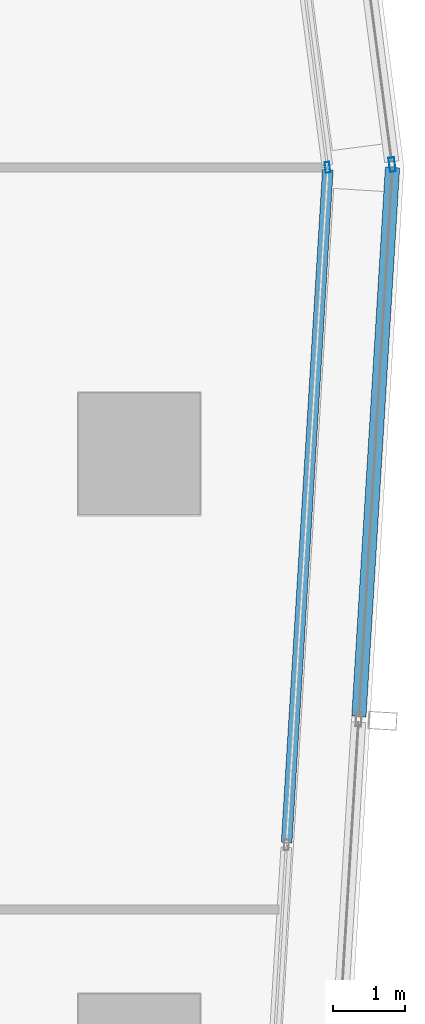
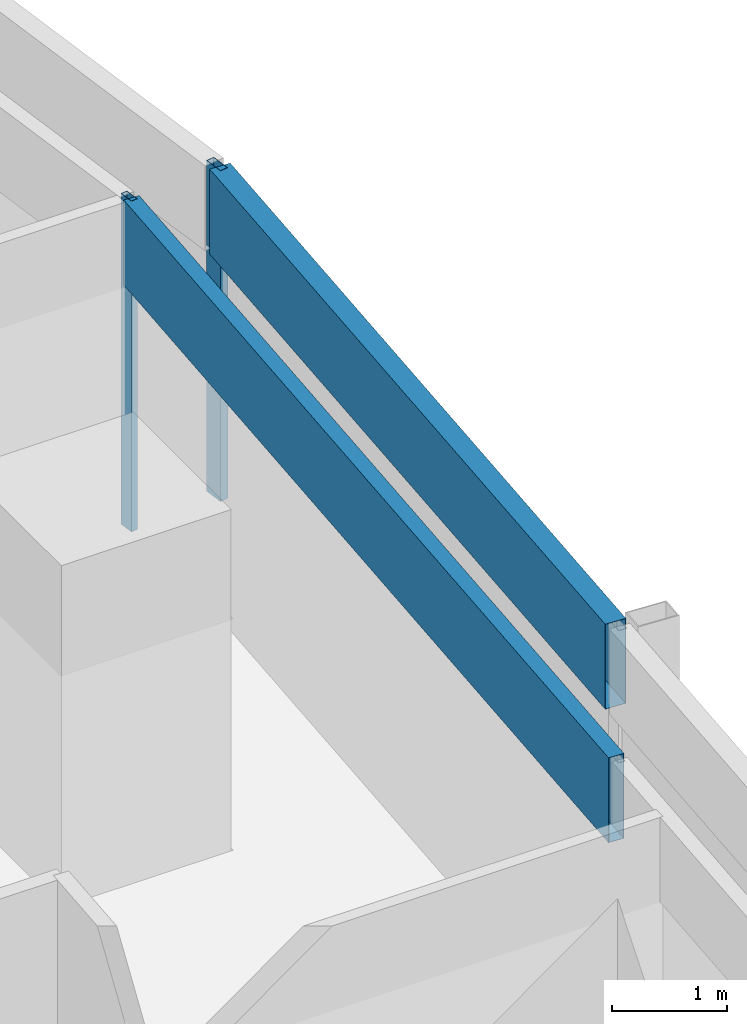
# One storey, part 25 of 40: 4 members, 4 elements without a shape of their own.
"""IFC4 building model written with IfcOpenShell, lengths in metres."""

from ifc_helpers import new_model, si_unit, direction, frame, origin, origin_2d, place, context, subcontext, project, spatial, hollow_rectangle, extrude, material, material_profile, profile_set, type_object, element, aggregate, save


model = new_model("IFC4")

# Units and contexts
model_context = context("Model", 3, precision=1e-05, world=origin(), true_north=direction((0.0, 1.0)))
body_context = subcontext(model_context, "Body", "Model", "MODEL_VIEW")
ifc_project = project(units=[si_unit("LENGTHUNIT", "METRE"), si_unit("AREAUNIT", "SQUARE_METRE"), si_unit("VOLUMEUNIT", "CUBIC_METRE"), si_unit("PLANEANGLEUNIT", "RADIAN"), si_unit("MASSUNIT", "GRAM", prefix="KILO")], contexts=[model_context])

# Site, building, storey
site_placement = place(None, origin())
site = spatial("IfcSite", under=ifc_project, at=site_placement, CompositionType="ELEMENT")
building_placement = place(site_placement, origin())
building = spatial("IfcBuilding", under=site, at=building_placement, Name="Rekha Terrace Tower", CompositionType="ELEMENT")
storey_placement = place(building_placement, frame((0.0, 0.0, 132.800048828125)))
storey = spatial("IfcBuildingStorey", under=building, at=storey_placement, Name="L33", CompositionType="ELEMENT", Elevation=132.800048828125)

# Curtain wall, member
ifc_material_1 = material(Name="Aluminium framing", Category="aluminium")
curtain_wall_type_1 = type_object("IfcCurtainWallType", Name="CW1 double skin inner glazing", PredefinedType="USERDEFINED", material=ifc_material_1)
curtain_wall_1_placement = place(storey_placement, origin())
curtain_wall_1 = element("IfcCurtainWall", 1, at=curtain_wall_1_placement, inside=storey, type_object=curtain_wall_type_1, Name="CW1 double skin inner glazing", ObjectType="DOUBLE SKIN INNER GLAZING", PredefinedType="USERDEFINED")
ifc_material_2 = material(Name="Aluminium mullion section", Category="aluminium")
ifc_material_profile_1 = material_profile(ifc_material_2, hollow_rectangle(XDim=0.06494140625, YDim=0.14990234375, WallThickness=0.00390625, at=origin_2d()), Name="AL RHS 65x150")
ifc_profile_set_1 = profile_set([ifc_material_profile_1], Name="Aluminium mullion section")
member_type_1 = type_object("IfcMemberType", Name="CW1 mullion RHS 65 x 150", PredefinedType="MULLION", material=ifc_profile_set_1)
member_1_placement = place(storey_placement, frame((69.83154296875, 46.00390625, 0.0), z_axis=(0.0, 0.0, 1.0), x_axis=(-0.991629186237, -0.129118383675, 0.0)))
member_1 = element("IfcMember", 2, at=member_1_placement, type_object=member_type_1, Name="CW1 mullion 1", PredefinedType="MULLION", context=body_context, shape_type="SweptSolid", body=[
    extrude(hollow_rectangle(XDim=0.06494140625, YDim=0.14990234375, WallThickness=0.00390625, at=origin_2d()), origin(), (0.0, 0.0, 1.0), 3.5),
])
aggregate(curtain_wall_1, [member_1])

curtain_wall_2_placement = place(storey_placement, origin())
curtain_wall_2 = element("IfcCurtainWall", 3, at=curtain_wall_2_placement, inside=storey, type_object=curtain_wall_type_1, Name="CW1 double skin inner glazing", ObjectType="DOUBLE SKIN INNER GLAZING", PredefinedType="USERDEFINED")
ifc_material_3 = material(Name="Insulated aluminium spandrel box", Category="aluminium")
ifc_material_profile_2 = material_profile(ifc_material_3, hollow_rectangle(XDim=0.14990234375, YDim=0.89990234375, WallThickness=0.0029296875, at=origin_2d()), Name="AL SPANDREL BOX 150x900")
ifc_profile_set_2 = profile_set([ifc_material_profile_2], Name="Insulated aluminium spandrel box")
member_type_2 = type_object("IfcMemberType", Name="CW1 spandrel transom 150 x 900", PredefinedType="USERDEFINED", material=ifc_profile_set_2)
member_2_placement = place(storey_placement, frame((69.259765625, 36.569091796875, 3.050048828125), z_axis=(0.061137463969, 0.998129355594, 0.0), x_axis=(-0.998129355594, 0.061137463969, 0.0)))
member_2 = element("IfcMember", 4, at=member_2_placement, type_object=member_type_2, Name="CW1 spandrel transom 3", ObjectType="TRANSOM", PredefinedType="USERDEFINED", context=body_context, shape_type="SweptSolid", body=[
    extrude(hollow_rectangle(XDim=0.14990234375, YDim=0.89990234375, WallThickness=0.0029296875, at=origin_2d()), origin(), (0.0, 0.0, 1.0), 9.420166015625),
])
aggregate(curtain_wall_2, [member_2])

curtain_wall_type_2 = type_object("IfcCurtainWallType", Name="CW2 double skin outer glazing", PredefinedType="USERDEFINED", material=ifc_material_1)
curtain_wall_3_placement = place(storey_placement, origin())
curtain_wall_3 = element("IfcCurtainWall", 5, at=curtain_wall_3_placement, inside=storey, type_object=curtain_wall_type_2, Name="CW2 double skin outer glazing", ObjectType="DOUBLE SKIN OUTER GLAZING", PredefinedType="USERDEFINED")
ifc_material_profile_3 = material_profile(ifc_material_2, hollow_rectangle(XDim=0.080078125, YDim=0.199951171875, WallThickness=0.00390625, at=origin_2d()), Name="AL RHS 80x200")
ifc_profile_set_3 = profile_set([ifc_material_profile_3], Name="Aluminium mullion section")
member_type_3 = type_object("IfcMemberType", Name="CW2 mullion RHS 80 x 200", PredefinedType="MULLION", material=ifc_profile_set_3)
member_3_placement = place(storey_placement, frame((70.734130859375, 46.042236328125, 0.0), z_axis=(0.0, 0.0, 1.0), x_axis=(-0.991629186244, -0.129118383623, 0.0)))
member_3 = element("IfcMember", 6, at=member_3_placement, type_object=member_type_3, Name="CW2 mullion 1", PredefinedType="MULLION", context=body_context, shape_type="SweptSolid", body=[
    extrude(hollow_rectangle(XDim=0.080078125, YDim=0.199951171875, WallThickness=0.00390625, at=origin_2d()), origin(), (0.0, 0.0, 1.0), 3.5),
])
aggregate(curtain_wall_3, [member_3])

curtain_wall_4_placement = place(storey_placement, origin())
curtain_wall_4 = element("IfcCurtainWall", 7, at=curtain_wall_4_placement, inside=storey, type_object=curtain_wall_type_2, Name="CW2 double skin outer glazing", ObjectType="DOUBLE SKIN OUTER GLAZING", PredefinedType="USERDEFINED")
ifc_material_profile_4 = material_profile(ifc_material_3, hollow_rectangle(XDim=0.199951171875, YDim=0.89990234375, WallThickness=0.0029296875, at=origin_2d()), Name="AL SPANDREL BOX 200x900")
ifc_profile_set_4 = profile_set([ifc_material_profile_4], Name="Insulated aluminium spandrel box")
member_type_4 = type_object("IfcMemberType", Name="CW2 spandrel transom 200 x 900", PredefinedType="USERDEFINED", material=ifc_profile_set_4)
member_4_placement = place(storey_placement, frame((70.269287109375, 38.330322265625, 3.050048828125), z_axis=(0.061142352683, 0.998129056139, 0.0), x_axis=(-0.998129056139, 0.061142352683, 0.0)))
member_4 = element("IfcMember", 8, at=member_4_placement, type_object=member_type_4, Name="CW2 spandrel transom 4", ObjectType="TRANSOM", PredefinedType="USERDEFINED", context=body_context, shape_type="SweptSolid", body=[
    extrude(hollow_rectangle(XDim=0.199951171875, YDim=0.89990234375, WallThickness=0.0029296875, at=origin_2d()), origin(), (0.0, 0.0, 1.0), 7.6865234375),
])
aggregate(curtain_wall_4, [member_4])

save(model, "model.ifc")
